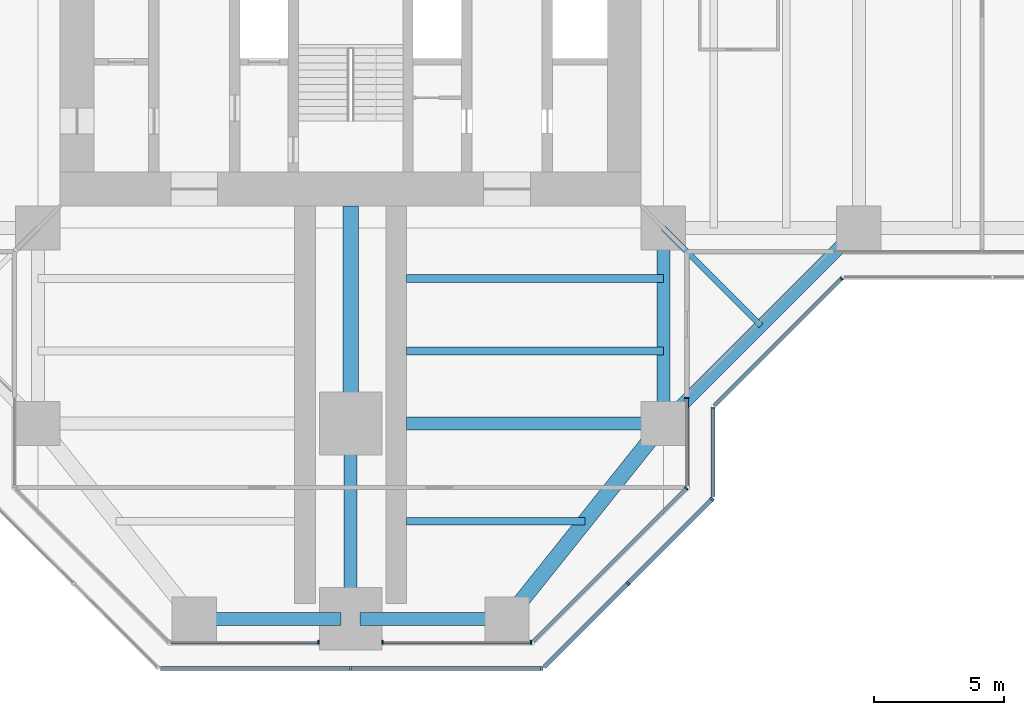
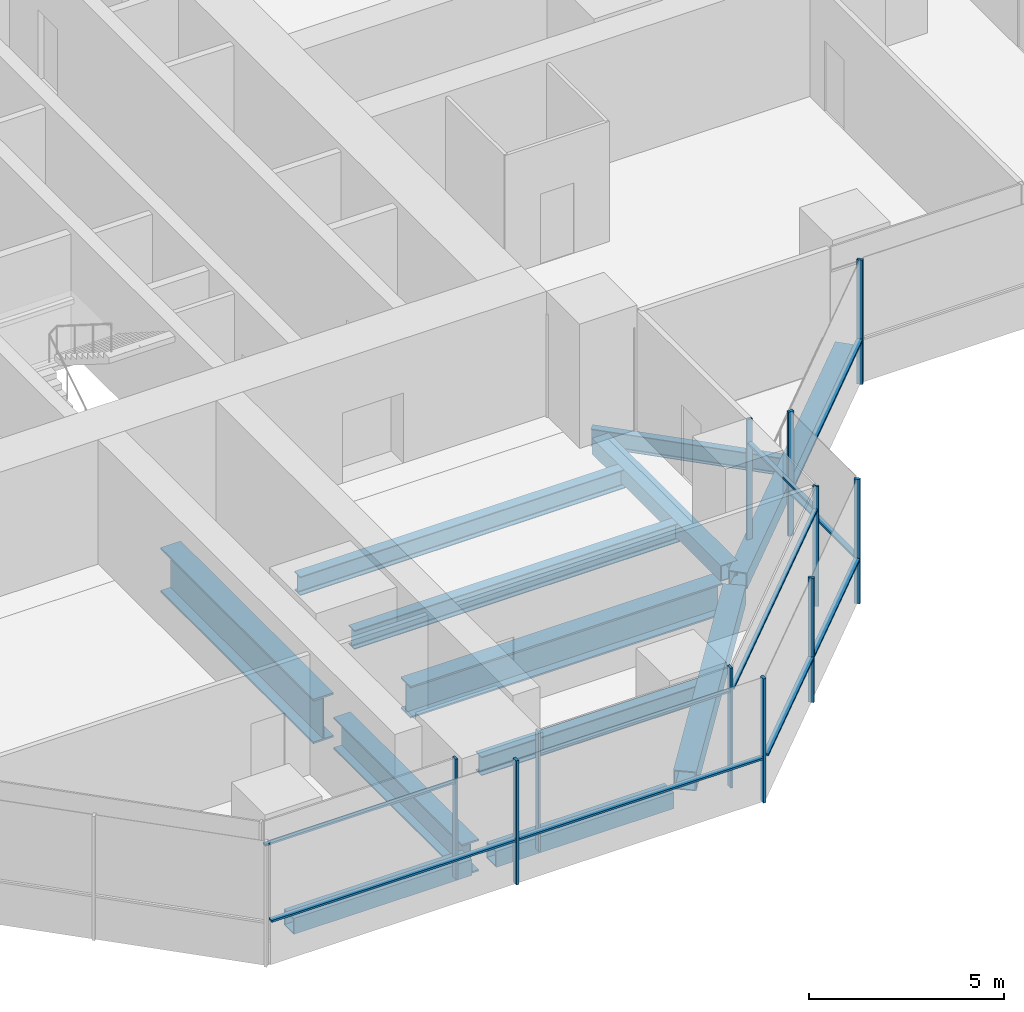
# One storey, part 4 of 20: 21 members, 12 beams, 8 elements without a shape of their own.
"""IFC4 building model written with IfcOpenShell, lengths in metres."""

from ifc_helpers import new_model, si_unit, direction, frame, origin, origin_2d, place, context, subcontext, project, spatial, rectangle, hollow_rectangle, i_section, extrude, material, material_profile, profile_set, type_object, element, aggregate, save


model = new_model("IFC4")

# Units and contexts
model_context = context("Model", 3, precision=1e-05, world=origin(), true_north=direction((0.0, 1.0)))
body_context = subcontext(model_context, "Body", "Model", "MODEL_VIEW")
ifc_project = project(units=[si_unit("LENGTHUNIT", "METRE"), si_unit("AREAUNIT", "SQUARE_METRE"), si_unit("VOLUMEUNIT", "CUBIC_METRE"), si_unit("PLANEANGLEUNIT", "RADIAN"), si_unit("MASSUNIT", "GRAM", prefix="KILO")], contexts=[model_context])

# Site, building, storey
site_placement = place(None, origin())
site = spatial("IfcSite", under=ifc_project, at=site_placement, CompositionType="ELEMENT")
building_placement = place(site_placement, origin())
building = spatial("IfcBuilding", under=site, at=building_placement, Name="Mizan Broadcast Tower", CompositionType="ELEMENT")
storey_placement = place(building_placement, frame((0.0, 0.0, 171.0)))
storey = spatial("IfcBuildingStorey", under=building, at=storey_placement, Name="L39", CompositionType="ELEMENT", Elevation=171.0)

# Beams
ifc_material_1 = material(Name="Steel S355", Category="steel")
ifc_material_profile_1 = material_profile(ifc_material_1, hollow_rectangle(XDim=0.5, YDim=0.5, WallThickness=0.030029296875, at=origin_2d()), Name="BOX 500x500x30")
ifc_profile_set_1 = profile_set([ifc_material_profile_1], Name="Steel S355")
beam_type_1 = type_object("IfcBeamType", Name="EDGE BEAM BOX 500x500x30", PredefinedType="SPANDREL", material=ifc_profile_set_1)
beam_1_placement = place(storey_placement, frame((-5.639892578125, -27.0, -0.3798828125), z_axis=(1.0, 0.0, 0.0), x_axis=(0.0, 1.0, 0.0)))
element("IfcBeam", 1, at=beam_1_placement, inside=storey, type_object=beam_type_1, Name="Edge beam BOX 500x500x30 L39 south arm", PredefinedType="SPANDREL", context=body_context, shape_type="SweptSolid", body=[
    extrude(hollow_rectangle(XDim=0.5, YDim=0.5, WallThickness=0.030029296875, at=origin_2d()), origin(), (0.0, 0.0, 1.0), 5.27978515625),
])
beam_2_placement = place(storey_placement, frame((12.0, -12.449951171875, -0.3798828125), z_axis=(0.0, -1.0, 0.0), x_axis=(1.0, 0.0, 0.0)))
element("IfcBeam", 2, at=beam_2_placement, inside=storey, type_object=beam_type_1, Name="Edge beam BOX 500x500x30 L39 south arm", PredefinedType="SPANDREL", context=body_context, shape_type="SweptSolid", body=[
    extrude(hollow_rectangle(XDim=0.5, YDim=0.5, WallThickness=0.030029296875, at=origin_2d()), origin(), (0.0, 0.0, 1.0), 6.60009765625),
])
beam_3_placement = place(storey_placement, frame((5.639892578125, -27.0, -0.3798828125), z_axis=(-1.0, 0.0, 0.0), x_axis=(0.0, -1.0, 0.0)))
element("IfcBeam", 3, at=beam_3_placement, inside=storey, type_object=beam_type_1, Name="Edge beam BOX 500x500x30 L39 south arm", PredefinedType="SPANDREL", context=body_context, shape_type="SweptSolid", body=[
    extrude(hollow_rectangle(XDim=0.5, YDim=0.5, WallThickness=0.030029296875, at=origin_2d()), origin(), (0.0, 0.0, 1.0), 5.27978515625),
])
beam_4_placement = place(storey_placement, frame((12.0, -19.5, -0.3798828125), z_axis=(0.707106781187, 0.707106781187, 0.0), x_axis=(-0.707106781187, 0.707106781187, 0.0)))
element("IfcBeam", 4, at=beam_4_placement, inside=storey, type_object=beam_type_1, Name="Winter garden edge beam L39 S", PredefinedType="SPANDREL", context=body_context, shape_type="SweptSolid", body=[
    extrude(hollow_rectangle(XDim=0.5, YDim=0.5, WallThickness=0.030029296875, at=origin_2d()), origin(), (0.0, 0.0, 1.0), 10.606689453125),
])
ifc_material_2 = material(Name="Steel S355", Category="steel")
ifc_material_profile_2 = material_profile(ifc_material_2, hollow_rectangle(XDim=0.60009765625, YDim=0.60009765625, WallThickness=0.030029296875, at=origin_2d()), Name="BOX 600x600x30")
ifc_profile_set_2 = profile_set([ifc_material_profile_2], Name="Steel S355")
beam_type_2 = type_object("IfcBeamType", Name="EDGE BEAM BOX 600x600x30", PredefinedType="SPANDREL", material=ifc_profile_set_2)
beam_5_placement = place(storey_placement, frame((11.639892578125, -19.949951171875, -0.429931640625), z_axis=(-0.624673911726, -0.780885717636, 0.0), x_axis=(0.780885717636, -0.624673911726, 0.0)))
element("IfcBeam", 5, at=beam_5_placement, inside=storey, type_object=beam_type_2, Name="Edge beam BOX 600x600x30 L39 south arm", PredefinedType="SPANDREL", context=body_context, shape_type="SweptSolid", body=[
    extrude(hollow_rectangle(XDim=0.60009765625, YDim=0.60009765625, WallThickness=0.030029296875, at=origin_2d()), origin(), (0.0, 0.0, 1.0), 8.4521484375),
])
ifc_material_3 = material(Name="Steel S460", Category="steel")
ifc_material_profile_3 = material_profile(ifc_material_3, i_section(OverallWidth=0.5, OverallDepth=1.0, WebThickness=0.02490234375, FlangeThickness=0.050048828125, at=origin_2d()), Name="WPG 1000x500")
ifc_profile_set_3 = profile_set([ifc_material_profile_3], Name="Steel S460")
beam_type_3 = type_object("IfcBeamType", Name="GIRDER WPG 1000x500", PredefinedType="BEAM", material=ifc_profile_set_3)
beam_6_placement = place(storey_placement, frame((0.0, -19.949951171875, -0.6298828125), z_axis=(0.0, -1.0, 0.0), x_axis=(1.0, 0.0, 0.0)))
element("IfcBeam", 6, at=beam_6_placement, inside=storey, type_object=beam_type_3, Name="Girder WPG 1000x500 L39 south arm", PredefinedType="BEAM", context=body_context, shape_type="SweptSolid", body=[
    extrude(i_section(OverallWidth=0.5, OverallDepth=1.0, WebThickness=0.02490234375, FlangeThickness=0.050048828125, at=origin_2d()), origin(), (0.0, 0.0, 1.0), 6.60009765625),
])
beam_7_placement = place(storey_placement, frame((11.408935546875, -19.5, -0.6298828125), z_axis=(-1.0, 0.0, 0.0), x_axis=(0.0, -1.0, 0.0)))
element("IfcBeam", 7, at=beam_7_placement, inside=storey, type_object=beam_type_3, Name="Girder WPG 1000x500 L39 south arm", PredefinedType="BEAM", context=body_context, shape_type="SweptSolid", body=[
    extrude(i_section(OverallWidth=0.5, OverallDepth=1.0, WebThickness=0.02490234375, FlangeThickness=0.050048828125, at=origin_2d()), origin(), (0.0, 0.0, 1.0), 9.259033203125),
])
ifc_material_4 = material(Name="Steel S460", Category="steel")
ifc_material_profile_4 = material_profile(ifc_material_4, i_section(OverallWidth=0.60009765625, OverallDepth=1.39990234375, WebThickness=0.02490234375, FlangeThickness=0.06005859375, at=origin_2d()), Name="WPG 1400x600")
ifc_profile_set_4 = profile_set([ifc_material_profile_4], Name="Steel S460")
beam_type_4 = type_object("IfcBeamType", Name="GIRDER WPG 1400x600", PredefinedType="BEAM", material=ifc_profile_set_4)
beam_8_placement = place(storey_placement, frame((0.0, -11.14990234375, -0.830078125), z_axis=(0.0, -1.0, 0.0), x_axis=(1.0, 0.0, 0.0)))
element("IfcBeam", 8, at=beam_8_placement, inside=storey, type_object=beam_type_4, Name="Girder WPG 1400x600 L39 south arm", PredefinedType="BEAM", context=body_context, shape_type="SweptSolid", body=[
    extrude(i_section(OverallWidth=0.60009765625, OverallDepth=1.39990234375, WebThickness=0.02490234375, FlangeThickness=0.06005859375, at=origin_2d()), origin(), (0.0, 0.0, 1.0), 7.84912109375),
])

# Curtain wall, member
ifc_material_5 = material(Name="Aluminium framed glazing", Category="aluminium")
curtain_wall_type_1 = type_object("IfcCurtainWallType", Name="INNER SKIN MID ZONE", PredefinedType="USERDEFINED", material=ifc_material_5)
curtain_wall_1_placement = place(storey_placement, origin())
curtain_wall_1 = element("IfcCurtainWall", 9, at=curtain_wall_1_placement, inside=storey, type_object=curtain_wall_type_1, Name="Inner skin mid zone L39 S end", ObjectType="INNER SKIN MID ZONE", PredefinedType="USERDEFINED")
ifc_material_6 = material(Name="Aluminium, pale anodised", Category="aluminium")
ifc_material_profile_5 = material_profile(ifc_material_6, rectangle(XDim=0.159912109375, YDim=0.06005859375, at=origin_2d()), Name="MULLION 160x60")
ifc_profile_set_5 = profile_set([ifc_material_profile_5], Name="Aluminium, pale anodised")
member_type_1 = type_object("IfcMemberType", Name="INNER SKIN MULLION 60x160", PredefinedType="MULLION", material=ifc_profile_set_5)
member_1_placement = place(storey_placement, frame((-1.22998046875, -27.89990234375, 0.0), z_axis=(0.0, 0.0, 1.0), x_axis=(0.0, 1.0, 0.0)))
member_1 = element("IfcMember", 10, at=member_1_placement, type_object=member_type_1, Name="Inner skin mid zone L39 S end mullion 2", PredefinedType="MULLION", context=body_context, shape_type="SweptSolid", body=[
    extrude(rectangle(XDim=0.159912109375, YDim=0.06005859375, at=origin_2d()), origin(), (0.0, 0.0, 1.0), 3.77001953125),
])

# Curtain wall, members
curtain_wall_2_placement = place(storey_placement, origin())
curtain_wall_2 = element("IfcCurtainWall", 11, at=curtain_wall_2_placement, inside=storey, type_object=curtain_wall_type_1, Name="Inner skin mid zone L39 S end", ObjectType="INNER SKIN MID ZONE", PredefinedType="USERDEFINED")
member_2_placement = place(storey_placement, frame((1.22998046875, -27.89990234375, 0.0), z_axis=(0.0, 0.0, 1.0), x_axis=(0.0, 1.0, 0.0)))
member_2 = element("IfcMember", 12, at=member_2_placement, type_object=member_type_1, Name="Inner skin mid zone L39 S end mullion 1", PredefinedType="MULLION", context=body_context, shape_type="SweptSolid", body=[
    extrude(rectangle(XDim=0.159912109375, YDim=0.06005859375, at=origin_2d()), origin(), (0.0, 0.0, 1.0), 3.77001953125),
])
member_3_placement = place(storey_placement, frame((6.928466796875, -27.89990234375, 0.0), z_axis=(0.0, 0.0, 1.0), x_axis=(0.0, 1.0, 0.0)))
member_3 = element("IfcMember", 13, at=member_3_placement, type_object=member_type_1, Name="Inner skin mid zone L39 S end mullion 2", PredefinedType="MULLION", context=body_context, shape_type="SweptSolid", body=[
    extrude(rectangle(XDim=0.159912109375, YDim=0.06005859375, at=origin_2d()), origin(), (0.0, 0.0, 1.0), 3.77001953125),
])

# Curtain wall, member
curtain_wall_3_placement = place(storey_placement, origin())
curtain_wall_3 = element("IfcCurtainWall", 14, at=curtain_wall_3_placement, inside=storey, type_object=curtain_wall_type_1, Name="Inner skin mid zone L39 S chamfer", ObjectType="INNER SKIN MID ZONE", PredefinedType="USERDEFINED")
member_4_placement = place(storey_placement, frame((12.87890625, -21.979736328125, 0.0), z_axis=(0.0, 0.0, 1.0), x_axis=(-0.707106781187, 0.707106781187, 0.0)))
member_4 = element("IfcMember", 15, at=member_4_placement, type_object=member_type_1, Name="Inner skin mid zone L39 S chamfer mullion 2", PredefinedType="MULLION", context=body_context, shape_type="SweptSolid", body=[
    extrude(rectangle(XDim=0.159912109375, YDim=0.06005859375, at=origin_2d()), origin(), (0.0, 0.0, 1.0), 3.77001953125),
])

curtain_wall_4_placement = place(storey_placement, origin())
curtain_wall_4 = element("IfcCurtainWall", 16, at=curtain_wall_4_placement, inside=storey, type_object=curtain_wall_type_1, Name="Inner skin mid zone L39 S side", ObjectType="INNER SKIN MID ZONE", PredefinedType="USERDEFINED")
member_5_placement = place(storey_placement, frame((12.89990234375, -18.530029296875, 0.0), z_axis=(0.0, 0.0, 1.0), x_axis=(-1.0, 0.0, 0.0)))
member_5 = element("IfcMember", 17, at=member_5_placement, type_object=member_type_1, Name="Inner skin mid zone L39 S side mullion 2", PredefinedType="MULLION", context=body_context, shape_type="SweptSolid", body=[
    extrude(rectangle(XDim=0.159912109375, YDim=0.06005859375, at=origin_2d()), origin(), (0.0, 0.0, 1.0), 3.77001953125),
])

# Member
ifc_material_7 = material(Name="Aluminium, pale anodised", Category="aluminium")
ifc_material_profile_6 = material_profile(ifc_material_7, rectangle(XDim=0.1201171875, YDim=0.06005859375, at=origin_2d()), Name="TRANSOM 120x60")
ifc_profile_set_6 = profile_set([ifc_material_profile_6], Name="Aluminium, pale anodised")
member_type_2 = type_object("IfcMemberType", Name="INNER SKIN TRANSOM 60x120", PredefinedType="USERDEFINED", material=ifc_profile_set_6)
member_6_placement = place(storey_placement, frame((-6.898681640625, -27.89990234375, 3.030029296875), z_axis=(1.0, 0.0, 0.0), x_axis=(0.0, 1.0, 0.0)))
member_6 = element("IfcMember", 18, at=member_6_placement, type_object=member_type_2, Name="Inner skin mid zone L39 S end transom 1.1", ObjectType="TRANSOM", PredefinedType="USERDEFINED", context=body_context, shape_type="SweptSolid", body=[
    extrude(rectangle(XDim=0.1201171875, YDim=0.06005859375, at=origin_2d()), origin(), (0.0, 0.0, 1.0), 5.638671875),
])

aggregate(curtain_wall_1, [member_1, member_6])

member_7_placement = place(storey_placement, frame((1.260009765625, -27.89990234375, 3.030029296875), z_axis=(1.0, 0.0, 0.0), x_axis=(0.0, 1.0, 0.0)))
member_7 = element("IfcMember", 19, at=member_7_placement, type_object=member_type_2, Name="Inner skin mid zone L39 S end transom 1.1", ObjectType="TRANSOM", PredefinedType="USERDEFINED", context=body_context, shape_type="SweptSolid", body=[
    extrude(rectangle(XDim=0.1201171875, YDim=0.06005859375, at=origin_2d()), origin(), (0.0, 0.0, 1.0), 5.638671875),
])

aggregate(curtain_wall_2, [member_2, member_3, member_7])

member_8_placement = place(storey_placement, frame((7.0009765625, -27.857666015625, 3.030029296875), z_axis=(0.707106781187, 0.707106781187, 0.0), x_axis=(-0.707106781187, 0.707106781187, 0.0)))
member_8 = element("IfcMember", 20, at=member_8_placement, type_object=member_type_2, Name="Inner skin mid zone L39 S chamfer transom 1.1", ObjectType="TRANSOM", PredefinedType="USERDEFINED", context=body_context, shape_type="SweptSolid", body=[
    extrude(rectangle(XDim=0.1201171875, YDim=0.06005859375, at=origin_2d()), origin(), (0.0, 0.0, 1.0), 8.28271484375),
])

aggregate(curtain_wall_3, [member_4, member_8])

member_9_placement = place(storey_placement, frame((12.89990234375, -21.898681640625, 3.030029296875), z_axis=(0.0, 1.0, 0.0), x_axis=(-1.0, 0.0, 0.0)))
member_9 = element("IfcMember", 21, at=member_9_placement, type_object=member_type_2, Name="Inner skin mid zone L39 S side transom 1.1", ObjectType="TRANSOM", PredefinedType="USERDEFINED", context=body_context, shape_type="SweptSolid", body=[
    extrude(rectangle(XDim=0.1201171875, YDim=0.06005859375, at=origin_2d()), origin(), (0.0, 0.0, 1.0), 3.338623046875),
])

aggregate(curtain_wall_4, [member_5, member_9])

# Curtain wall, members
ifc_material_8 = material(Name="Aluminium framed glazing", Category="aluminium")
curtain_wall_type_2 = type_object("IfcCurtainWallType", Name="OUTER SKIN", PredefinedType="USERDEFINED", material=ifc_material_8)
curtain_wall_5_placement = place(storey_placement, origin())
curtain_wall_5 = element("IfcCurtainWall", 22, at=curtain_wall_5_placement, inside=storey, type_object=curtain_wall_type_2, Name="Outer skin L39 S end", ObjectType="OUTER SKIN", PredefinedType="USERDEFINED")
ifc_material_9 = material(Name="Aluminium, pale anodised", Category="aluminium")
ifc_material_profile_7 = material_profile(ifc_material_9, rectangle(XDim=0.159912109375, YDim=0.080078125, at=origin_2d()), Name="MULLION 160x80")
ifc_profile_set_7 = profile_set([ifc_material_profile_7], Name="Aluminium, pale anodised")
member_type_3 = type_object("IfcMemberType", Name="OUTER SKIN MULLION 80x160", PredefinedType="MULLION", material=ifc_profile_set_7)
member_10_placement = place(storey_placement, frame((0.0, -28.89990234375, 0.0), z_axis=(0.0, 0.0, 1.0), x_axis=(0.0, 1.0, 0.0)))
member_10 = element("IfcMember", 23, at=member_10_placement, type_object=member_type_3, Name="Outer skin L39 S end mullion 2", PredefinedType="MULLION", context=body_context, shape_type="SweptSolid", body=[
    extrude(rectangle(XDim=0.159912109375, YDim=0.080078125, at=origin_2d()), origin(), (0.0, 0.0, 1.0), 3.89990234375),
])
member_11_placement = place(storey_placement, frame((7.332763671875, -28.89990234375, 0.0), z_axis=(0.0, 0.0, 1.0), x_axis=(0.0, 1.0, 0.0)))
member_11 = element("IfcMember", 24, at=member_11_placement, type_object=member_type_3, Name="Outer skin L39 S end mullion 3", PredefinedType="MULLION", context=body_context, shape_type="SweptSolid", body=[
    extrude(rectangle(XDim=0.159912109375, YDim=0.080078125, at=origin_2d()), origin(), (0.0, 0.0, 1.0), 3.89990234375),
])

curtain_wall_6_placement = place(storey_placement, origin())
curtain_wall_6 = element("IfcCurtainWall", 25, at=curtain_wall_6_placement, inside=storey, type_object=curtain_wall_type_2, Name="Outer skin L39 S chamfer", ObjectType="OUTER SKIN", PredefinedType="USERDEFINED")
member_12_placement = place(storey_placement, frame((10.636474609375, -25.636474609375, 0.0), z_axis=(0.0, 0.0, 1.0), x_axis=(-0.707106781187, 0.707106781187, 0.0)))
member_12 = element("IfcMember", 26, at=member_12_placement, type_object=member_type_3, Name="Outer skin L39 S chamfer mullion 2", PredefinedType="MULLION", context=body_context, shape_type="SweptSolid", body=[
    extrude(rectangle(XDim=0.159912109375, YDim=0.080078125, at=origin_2d()), origin(), (0.0, 0.0, 1.0), 3.89990234375),
])
member_13_placement = place(storey_placement, frame((13.871826171875, -22.401123046875, 0.0), z_axis=(0.0, 0.0, 1.0), x_axis=(-0.707106781187, 0.707106781187, 0.0)))
member_13 = element("IfcMember", 27, at=member_13_placement, type_object=member_type_3, Name="Outer skin L39 S chamfer mullion 3", PredefinedType="MULLION", context=body_context, shape_type="SweptSolid", body=[
    extrude(rectangle(XDim=0.159912109375, YDim=0.080078125, at=origin_2d()), origin(), (0.0, 0.0, 1.0), 3.89990234375),
])

# Curtain wall, member
curtain_wall_7_placement = place(storey_placement, origin())
curtain_wall_7 = element("IfcCurtainWall", 28, at=curtain_wall_7_placement, inside=storey, type_object=curtain_wall_type_2, Name="Outer skin L39 S side", ObjectType="OUTER SKIN", PredefinedType="USERDEFINED")
member_14_placement = place(storey_placement, frame((13.89990234375, -18.912841796875, 0.0), z_axis=(0.0, 0.0, 1.0), x_axis=(-1.0, 0.0, 0.0)))
member_14 = element("IfcMember", 29, at=member_14_placement, type_object=member_type_3, Name="Outer skin L39 S side mullion 2", PredefinedType="MULLION", context=body_context, shape_type="SweptSolid", body=[
    extrude(rectangle(XDim=0.159912109375, YDim=0.080078125, at=origin_2d()), origin(), (0.0, 0.0, 1.0), 3.89990234375),
])

curtain_wall_8_placement = place(storey_placement, origin())
curtain_wall_8 = element("IfcCurtainWall", 30, at=curtain_wall_8_placement, inside=storey, type_object=curtain_wall_type_2, Name="Outer skin L39 E chamfer", ObjectType="OUTER SKIN", PredefinedType="USERDEFINED")
member_15_placement = place(storey_placement, frame((18.844482421875, -13.92822265625, 0.0), z_axis=(0.0, 0.0, 1.0), x_axis=(-0.707106781187, 0.707106781187, 0.0)))
member_15 = element("IfcMember", 31, at=member_15_placement, type_object=member_type_3, Name="Outer skin L39 E chamfer mullion 2", PredefinedType="MULLION", context=body_context, shape_type="SweptSolid", body=[
    extrude(rectangle(XDim=0.159912109375, YDim=0.080078125, at=origin_2d()), origin(), (0.0, 0.0, 1.0), 3.89990234375),
])

# Member
ifc_material_10 = material(Name="Aluminium, pale anodised", Category="aluminium")
ifc_material_profile_8 = material_profile(ifc_material_10, rectangle(XDim=0.159912109375, YDim=0.06005859375, at=origin_2d()), Name="TRANSOM 160x60")
ifc_profile_set_8 = profile_set([ifc_material_profile_8], Name="Aluminium, pale anodised")
member_type_4 = type_object("IfcMemberType", Name="OUTER SKIN TRANSOM 60x160", PredefinedType="USERDEFINED", material=ifc_profile_set_8)
member_16_placement = place(storey_placement, frame((-7.292724609375, -28.89990234375, 1.39990234375), z_axis=(1.0, 0.0, 0.0), x_axis=(0.0, 1.0, 0.0)))
member_16 = element("IfcMember", 32, at=member_16_placement, type_object=member_type_4, Name="Outer skin L39 S end transom 1.1", ObjectType="TRANSOM", PredefinedType="USERDEFINED", context=body_context, shape_type="SweptSolid", body=[
    extrude(rectangle(XDim=0.159912109375, YDim=0.06005859375, at=origin_2d()), origin(), (0.0, 0.0, 1.0), 7.252685546875),
])

member_17_placement = place(storey_placement, frame((0.0400390625, -28.89990234375, 1.39990234375), z_axis=(1.0, 0.0, 0.0), x_axis=(0.0, 1.0, 0.0)))
member_17 = element("IfcMember", 33, at=member_17_placement, type_object=member_type_4, Name="Outer skin L39 S end transom 2.1", ObjectType="TRANSOM", PredefinedType="USERDEFINED", context=body_context, shape_type="SweptSolid", body=[
    extrude(rectangle(XDim=0.159912109375, YDim=0.06005859375, at=origin_2d()), origin(), (0.0, 0.0, 1.0), 7.252685546875),
])

aggregate(curtain_wall_5, [member_10, member_11, member_16, member_17])

member_18_placement = place(storey_placement, frame((7.429443359375, -28.843505859375, 1.39990234375), z_axis=(0.707106781187, 0.707106781187, 0.0), x_axis=(-0.707106781187, 0.707106781187, 0.0)))
member_18 = element("IfcMember", 34, at=member_18_placement, type_object=member_type_4, Name="Outer skin L39 S chamfer transom 1.1", ObjectType="TRANSOM", PredefinedType="USERDEFINED", context=body_context, shape_type="SweptSolid", body=[
    extrude(rectangle(XDim=0.159912109375, YDim=0.06005859375, at=origin_2d()), origin(), (0.0, 0.0, 1.0), 4.495361328125),
])

member_19_placement = place(storey_placement, frame((10.664794921875, -25.608154296875, 1.39990234375), z_axis=(0.707106781187, 0.707106781187, 0.0), x_axis=(-0.707106781187, 0.707106781187, 0.0)))
member_19 = element("IfcMember", 35, at=member_19_placement, type_object=member_type_4, Name="Outer skin L39 S chamfer transom 2.1", ObjectType="TRANSOM", PredefinedType="USERDEFINED", context=body_context, shape_type="SweptSolid", body=[
    extrude(rectangle(XDim=0.159912109375, YDim=0.06005859375, at=origin_2d()), origin(), (0.0, 0.0, 1.0), 4.495361328125),
])

aggregate(curtain_wall_6, [member_12, member_13, member_18, member_19])

member_20_placement = place(storey_placement, frame((13.89990234375, -22.292724609375, 1.39990234375), z_axis=(0.0, 1.0, 0.0), x_axis=(-1.0, 0.0, 0.0)))
member_20 = element("IfcMember", 36, at=member_20_placement, type_object=member_type_4, Name="Outer skin L39 S side transom 1.1", ObjectType="TRANSOM", PredefinedType="USERDEFINED", context=body_context, shape_type="SweptSolid", body=[
    extrude(rectangle(XDim=0.159912109375, YDim=0.06005859375, at=origin_2d()), origin(), (0.0, 0.0, 1.0), 3.33984375),
])

aggregate(curtain_wall_7, [member_14, member_20])

member_21_placement = place(storey_placement, frame((13.95654296875, -18.816162109375, 1.39990234375), z_axis=(0.707106781187, 0.707106781187, 0.0), x_axis=(-0.707106781187, 0.707106781187, 0.0)))
member_21 = element("IfcMember", 37, at=member_21_placement, type_object=member_type_4, Name="Outer skin L39 E chamfer transom 1.1", ObjectType="TRANSOM", PredefinedType="USERDEFINED", context=body_context, shape_type="SweptSolid", body=[
    extrude(rectangle(XDim=0.159912109375, YDim=0.06005859375, at=origin_2d()), origin(), (0.0, 0.0, 1.0), 6.87255859375),
])

aggregate(curtain_wall_8, [member_15, member_21])

# Beams
ifc_material_11 = material(Name="Steel S355", Category="steel")
ifc_material_profile_9 = material_profile(ifc_material_11, i_section(OverallWidth=0.300048828125, OverallDepth=0.590087890625, WebThickness=0.012939453125, FlangeThickness=0.02490234375, FilletRadius=0.027099609375, at=origin_2d()), Name="HEA 600")
ifc_profile_set_9 = profile_set([ifc_material_profile_9], Name="Steel S355")
beam_type_5 = type_object("IfcBeamType", Name="SECONDARY BEAM HEA 600", PredefinedType="JOIST", material=ifc_profile_set_9)
for number, where, z_axis, x_axis, name in (
    (38, (12.0, -13.933349609375, -0.425048828125), (-1.0, 0.0, 0.0), (0.0, -1.0, 0.0), "Secondary beam HEA 600 L39 south arm"),
    (39, (12.0, -16.716552734375, -0.425048828125), (-1.0, 0.0, 0.0), (0.0, -1.0, 0.0), "Secondary beam HEA 600 L39 south arm"),
):
    element("IfcBeam", number, at=place(storey_placement, frame(where, z_axis=z_axis, x_axis=x_axis)), inside=storey, type_object=beam_type_5, Name=name, PredefinedType="JOIST", context=body_context, shape_type="SweptSolid", body=[
        extrude(i_section(OverallWidth=0.300048828125, OverallDepth=0.590087890625, WebThickness=0.012939453125, FlangeThickness=0.02490234375, FilletRadius=0.027099609375, at=origin_2d()), origin(), (0.0, 0.0, 1.0), 9.85009765625),
    ])
beam_9_placement = place(storey_placement, frame((9.0, -23.25, -0.425048828125), z_axis=(-1.0, 0.0, 0.0), x_axis=(0.0, -1.0, 0.0)))
element("IfcBeam", 40, at=beam_9_placement, inside=storey, type_object=beam_type_5, Name="Secondary beam HEA 600 L39 south arm", PredefinedType="JOIST", context=body_context, shape_type="SweptSolid", body=[
    extrude(i_section(OverallWidth=0.300048828125, OverallDepth=0.590087890625, WebThickness=0.012939453125, FlangeThickness=0.02490234375, FilletRadius=0.027099609375, at=origin_2d()), origin(), (0.0, 0.0, 1.0), 6.85009765625),
])
ifc_material_12 = material(Name="Steel S355", Category="steel")
ifc_material_profile_10 = material_profile(ifc_material_12, i_section(OverallWidth=0.2099609375, OverallDepth=0.550048828125, WebThickness=0.010986328125, FlangeThickness=0.01708984375, FilletRadius=0.02392578125, at=origin_2d()), Name="IPE 550")
ifc_profile_set_10 = profile_set([ifc_material_profile_10], Name="Steel S355")
beam_type_6 = type_object("IfcBeamType", Name="SECONDARY BEAM IPE 550", PredefinedType="JOIST", material=ifc_profile_set_10)
beam_10_placement = place(storey_placement, frame((12.0, -12.0, -0.405029296875), z_axis=(0.707106781187, -0.707106781187, 0.0), x_axis=(0.707106781187, 0.707106781187, 0.0)))
element("IfcBeam", 41, at=beam_10_placement, inside=storey, type_object=beam_type_6, Name="Winter garden beam L39 S", PredefinedType="JOIST", context=body_context, shape_type="SweptSolid", body=[
    extrude(i_section(OverallWidth=0.2099609375, OverallDepth=0.550048828125, WebThickness=0.010986328125, FlangeThickness=0.01708984375, FilletRadius=0.02392578125, at=origin_2d()), origin(), (0.0, 0.0, 1.0), 5.30322265625),
])

save(model, "model.ifc")
